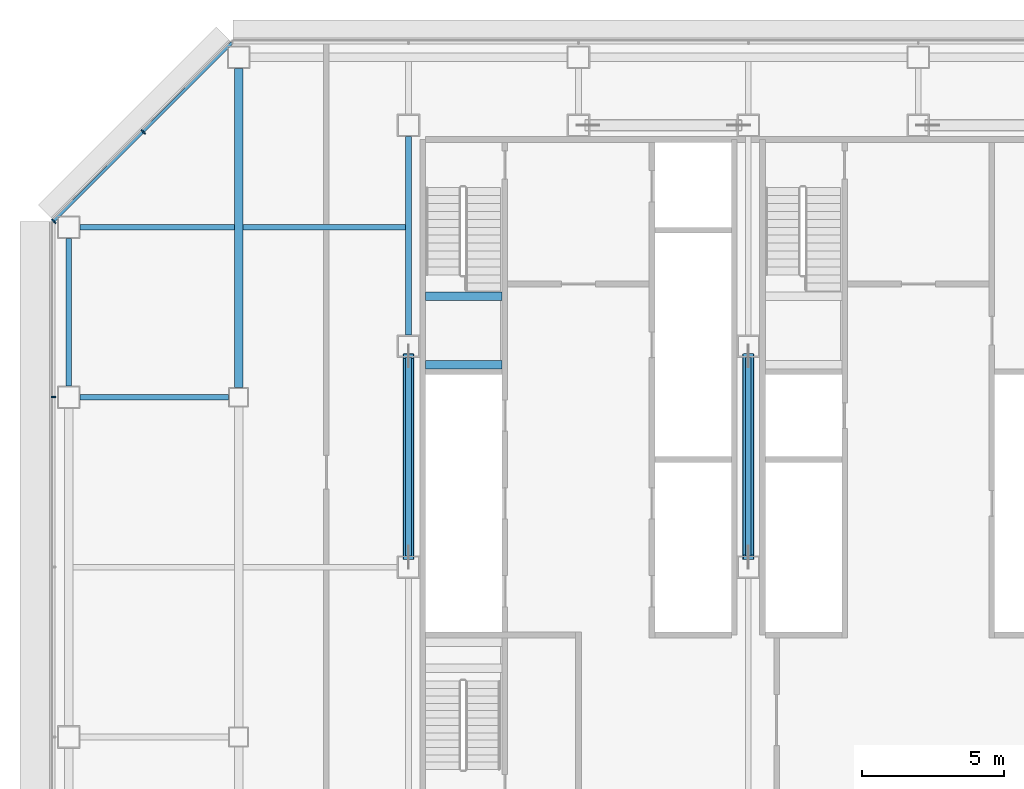
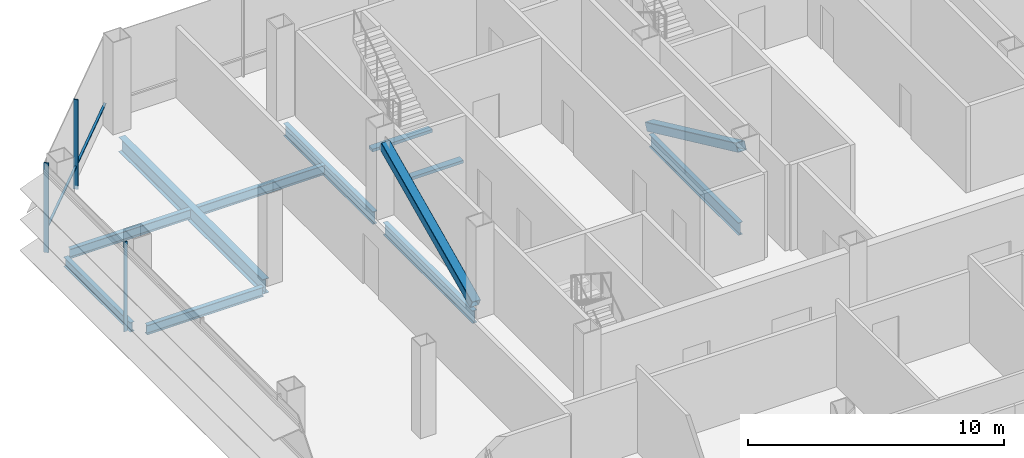
# One storey, part 11 of 28: 10 beams, 6 members, 2 elements without a shape of their own.
"""IFC4 building model written with IfcOpenShell, lengths in metres."""

from ifc_helpers import new_model, si_unit, direction, frame, origin, origin_2d, place, context, subcontext, project, spatial, rectangle, hollow_rectangle, i_section, extrude, material, material_profile, profile_set, type_object, element, aggregate, save


model = new_model("IFC4")

# Units and contexts
model_context = context("Model", 3, precision=1e-05, world=origin(), true_north=direction((0.0, 1.0)))
body_context = subcontext(model_context, "Body", "Model", "MODEL_VIEW")
ifc_project = project(units=[si_unit("LENGTHUNIT", "METRE"), si_unit("AREAUNIT", "SQUARE_METRE"), si_unit("VOLUMEUNIT", "CUBIC_METRE"), si_unit("PLANEANGLEUNIT", "RADIAN"), si_unit("MASSUNIT", "GRAM", prefix="KILO")], contexts=[model_context])

# Site, building, storey
site_placement = place(None, origin())
site = spatial("IfcSite", under=ifc_project, at=site_placement, CompositionType="ELEMENT")
building_placement = place(site_placement, origin())
building = spatial("IfcBuilding", under=site, at=building_placement, Name="Sorahane Residences", CompositionType="ELEMENT")
storey_placement = place(building_placement, frame((0.0, 0.0, 134.0)))
storey = spatial("IfcBuildingStorey", under=building, at=storey_placement, Name="L30", CompositionType="ELEMENT", Elevation=134.0)

# Members
ifc_material_1 = material(Name="Steel Q355B", Category="steel")
ifc_material_profile_1 = material_profile(ifc_material_1, hollow_rectangle(XDim=0.39990234375, YDim=0.39990234375, WallThickness=0.02001953125, InnerFilletRadius=0.010009765625, OuterFilletRadius=0.030029296875, at=origin_2d()), Name="RHS 400x400x20")
ifc_profile_set_1 = profile_set([ifc_material_profile_1], Name="Steel Q355B")
member_type_1 = type_object("IfcMemberType", Name="Core brace RHS 400x400x20 Q355B", PredefinedType="BRACE", material=ifc_profile_set_1)
for number, where, z_axis, x_axis, name in (
    (1, (6.0, 30.349365234375, 0.176513671875), (0.0, 0.907011520025, 0.421105809201), (-1.0, 0.0, 0.0), "Core brace L30 x6-2"),
    (2, (18.0, 37.450439453125, 0.176513671875), (0.0, -0.907011520025, 0.421105809201), (1.0, 0.0, 0.0), "Core brace L30 x18-1"),
):
    element("IfcMember", number, at=place(storey_placement, frame(where, z_axis=z_axis, x_axis=x_axis)), inside=storey, type_object=member_type_1, Name=name, PredefinedType="BRACE", context=body_context, shape_type="SweptSolid", body=[
        extrude(hollow_rectangle(XDim=0.39990234375, YDim=0.39990234375, WallThickness=0.02001953125, InnerFilletRadius=0.010009765625, OuterFilletRadius=0.030029296875, at=origin_2d()), origin(), (0.0, 0.0, 1.0), 7.8291015625),
    ])

# Curtain wall, member
ifc_material_2 = material(Name="Dark low-e glass and black anodised aluminium", Category="aluminium")
curtain_wall_type_1 = type_object("IfcCurtainWallType", Name="Curtain wall CW-1 Typical unitised wall", PredefinedType="NOTDEFINED", material=ifc_material_2)
curtain_wall_1_placement = place(storey_placement, origin())
curtain_wall_1 = element("IfcCurtainWall", 3, at=curtain_wall_1_placement, inside=storey, type_object=curtain_wall_type_1, Name="CW-1 curtain wall L30 W1", PredefinedType="NOTDEFINED")
ifc_material_3 = material(Name="Black anodised aluminium", Category="aluminium")
ifc_material_profile_2 = material_profile(ifc_material_3, rectangle(XDim=0.159912109375, YDim=0.050048828125, at=origin_2d()), Name="Curtain wall mullion CW-1 black anodised aluminium 50x160")
ifc_profile_set_2 = profile_set([ifc_material_profile_2], Name="Black anodised aluminium")
member_type_2 = type_object("IfcMemberType", Name="Curtain wall mullion CW-1 black anodised aluminium 50x160", PredefinedType="MULLION", material=ifc_profile_set_2)
member_1_placement = place(storey_placement, frame((-6.5400390625, 36.0, -0.179931640625), z_axis=(0.0, 0.0, 1.0), x_axis=(-1.0, 0.0, 0.0)))
member_1 = element("IfcMember", 4, at=member_1_placement, type_object=member_type_2, Name="CW-1 mullion L30 W1.2", PredefinedType="MULLION", context=body_context, shape_type="SweptSolid", body=[
    extrude(rectangle(XDim=0.159912109375, YDim=0.050048828125, at=origin_2d()), origin(), (0.0, 0.0, 1.0), 4.280029296875),
])
aggregate(curtain_wall_1, [member_1])

# Curtain wall, members
ifc_material_4 = material(Name="Dark low-e glass and black anodised aluminium", Category="aluminium")
curtain_wall_type_2 = type_object("IfcCurtainWallType", Name="Curtain wall CW-2 Chamfer unitised wall", PredefinedType="NOTDEFINED", material=ifc_material_4)
curtain_wall_2_placement = place(storey_placement, origin())
curtain_wall_2 = element("IfcCurtainWall", 5, at=curtain_wall_2_placement, inside=storey, type_object=curtain_wall_type_2, Name="CW-2 curtain wall L30 NW1", PredefinedType="NOTDEFINED")
ifc_material_5 = material(Name="Black anodised aluminium", Category="aluminium")
ifc_material_profile_3 = material_profile(ifc_material_5, rectangle(XDim=0.199951171875, YDim=0.050048828125, at=origin_2d()), Name="Curtain wall mullion CW-2 black anodised aluminium 50x200")
ifc_profile_set_3 = profile_set([ifc_material_profile_3], Name="Black anodised aluminium")
member_type_3 = type_object("IfcMemberType", Name="Curtain wall mullion CW-2 black anodised aluminium 50x200", PredefinedType="MULLION", material=ifc_profile_set_3)
member_2_placement = place(storey_placement, frame((-3.36767578125, 45.36767578125, -0.179931640625), z_axis=(0.0, 0.0, 1.0), x_axis=(-0.707106781187, 0.707106781187, 0.0)))
member_2 = element("IfcMember", 6, at=member_2_placement, type_object=member_type_3, Name="CW-2 mullion L30 NW1.2", PredefinedType="MULLION", context=body_context, shape_type="SweptSolid", body=[
    extrude(rectangle(XDim=0.199951171875, YDim=0.050048828125, at=origin_2d()), origin(), (0.0, 0.0, 1.0), 4.280029296875),
])
member_3_placement = place(storey_placement, frame((-6.525634765625, 42.209716796875, -0.179931640625), z_axis=(0.0, 0.0, 1.0), x_axis=(-0.707106781187, 0.707106781187, 0.0)))
member_3 = element("IfcMember", 7, at=member_3_placement, type_object=member_type_3, Name="CW-2 mullion L30 NW1.3", PredefinedType="MULLION", context=body_context, shape_type="SweptSolid", body=[
    extrude(rectangle(XDim=0.199951171875, YDim=0.050048828125, at=origin_2d()), origin(), (0.0, 0.0, 1.0), 4.280029296875),
])
ifc_material_6 = material(Name="Black anodised aluminium", Category="aluminium")
ifc_material_profile_4 = material_profile(ifc_material_6, rectangle(XDim=0.10009765625, YDim=0.06005859375, at=origin_2d()), Name="Curtain wall transom CW-2 black anodised aluminium 60x100")
ifc_profile_set_4 = profile_set([ifc_material_profile_4], Name="Black anodised aluminium")
member_type_4 = type_object("IfcMemberType", Name="Curtain wall transom CW-2 black anodised aluminium 60x100", PredefinedType="USERDEFINED", material=ifc_profile_set_4)
member_4_placement = place(storey_placement, frame((-0.234375, 48.51513671875, 0.89990234375), z_axis=(-0.707106781187, -0.707106781187, 0.0), x_axis=(0.707106781187, -0.707106781187, 0.0)))
member_4 = element("IfcMember", 8, at=member_4_placement, type_object=member_type_4, Name="CW-2 transom L30 NW1", ObjectType="TRANSOM", PredefinedType="USERDEFINED", context=body_context, shape_type="SweptSolid", body=[
    extrude(rectangle(XDim=0.10009765625, YDim=0.06005859375, at=origin_2d()), origin(), (0.0, 0.0, 1.0), 8.88232421875),
])
aggregate(curtain_wall_2, [member_2, member_3, member_4])

# Beams
ifc_material_7 = material(Name="Concrete C40", Category="concrete")
ifc_material_profile_5 = material_profile(ifc_material_7, rectangle(XDim=0.300048828125, YDim=0.139892578125, at=origin_2d()), Name="300x140")
ifc_profile_set_5 = profile_set([ifc_material_profile_5], Name="Concrete C40")
beam_type_1 = type_object("IfcBeamType", Name="RC landing beam 300 x 140 Concrete C40", PredefinedType="BEAM", material=ifc_profile_set_5)
for number, where, z_axis, x_axis, name in (
    (9, (6.60009765625, 37.14990234375, 1.7607421875), (1.0, 0.0, 0.0), (0.0, 1.0, 0.0), "Landing beam"),
    (10, (6.60009765625, 39.570068359375, 1.7607421875), (1.0, 0.0, 0.0), (0.0, 1.0, 0.0), "Landing beam"),
):
    element("IfcBeam", number, at=place(storey_placement, frame(where, z_axis=z_axis, x_axis=x_axis)), inside=storey, type_object=beam_type_1, Name=name, PredefinedType="BEAM", context=body_context, shape_type="SweptSolid", body=[
        extrude(rectangle(XDim=0.300048828125, YDim=0.139892578125, at=origin_2d()), origin(), (0.0, 0.0, 1.0), 2.699951171875),
    ])
ifc_material_8 = material(Name="Steel Q355B", Category="steel")
ifc_material_profile_6 = material_profile(ifc_material_8, i_section(OverallWidth=0.199951171875, OverallDepth=0.449951171875, WebThickness=0.009033203125, FlangeThickness=0.013916015625, FilletRadius=0.02001953125, at=origin_2d()), Name="HN 450x200x9x14")
ifc_profile_set_6 = profile_set([ifc_material_profile_6], Name="Steel Q355B")
beam_type_2 = type_object("IfcBeamType", Name="Steel floor beam HN 450x200x9x14 Q355B", PredefinedType="BEAM", material=ifc_profile_set_6)
beam_1_placement = place(storey_placement, frame((-5.60009765625, 36.0, -0.405029296875), z_axis=(1.0, 0.0, 0.0), x_axis=(0.0, 1.0, 0.0)))
element("IfcBeam", 11, at=beam_1_placement, inside=storey, type_object=beam_type_2, Name="Beam L30 013", PredefinedType="BEAM", context=body_context, shape_type="SweptSolid", body=[
    extrude(i_section(OverallWidth=0.199951171875, OverallDepth=0.449951171875, WebThickness=0.009033203125, FlangeThickness=0.013916015625, FilletRadius=0.02001953125, at=origin_2d()), origin(), (0.0, 0.0, 1.0), 5.25),
])
beam_2_placement = place(storey_placement, frame((-6.0, 36.39990234375, -0.405029296875), z_axis=(0.0, 1.0, 0.0), x_axis=(-1.0, 0.0, 0.0)))
element("IfcBeam", 12, at=beam_2_placement, inside=storey, type_object=beam_type_2, Name="Beam L30 023", PredefinedType="BEAM", context=body_context, shape_type="SweptSolid", body=[
    extrude(i_section(OverallWidth=0.199951171875, OverallDepth=0.449951171875, WebThickness=0.009033203125, FlangeThickness=0.013916015625, FilletRadius=0.02001953125, at=origin_2d()), origin(), (0.0, 0.0, 1.0), 5.2001953125),
])
beam_3_placement = place(storey_placement, frame((-5.60009765625, 42.0, -0.405029296875), z_axis=(1.0, 0.0, 0.0), x_axis=(0.0, 1.0, 0.0)))
element("IfcBeam", 13, at=beam_3_placement, inside=storey, type_object=beam_type_2, Name="Beam L30 087", PredefinedType="BEAM", context=body_context, shape_type="SweptSolid", body=[
    extrude(i_section(OverallWidth=0.199951171875, OverallDepth=0.449951171875, WebThickness=0.009033203125, FlangeThickness=0.013916015625, FilletRadius=0.02001953125, at=origin_2d()), origin(), (0.0, 0.0, 1.0), 5.4501953125),
])
beam_4_placement = place(storey_placement, frame((0.14990234375, 42.0, -0.405029296875), z_axis=(1.0, 0.0, 0.0), x_axis=(0.0, 1.0, 0.0)))
element("IfcBeam", 14, at=beam_4_placement, inside=storey, type_object=beam_type_2, Name="Beam L30 088", PredefinedType="BEAM", context=body_context, shape_type="SweptSolid", body=[
    extrude(i_section(OverallWidth=0.199951171875, OverallDepth=0.449951171875, WebThickness=0.009033203125, FlangeThickness=0.013916015625, FilletRadius=0.02001953125, at=origin_2d()), origin(), (0.0, 0.0, 1.0), 5.75),
])
ifc_material_9 = material(Name="Steel Q355B", Category="steel")
ifc_material_profile_7 = material_profile(ifc_material_9, i_section(OverallWidth=0.199951171875, OverallDepth=0.60009765625, WebThickness=0.010986328125, FlangeThickness=0.01708984375, FilletRadius=0.02392578125, at=origin_2d()), Name="HN 600x200x11x17")
ifc_profile_set_7 = profile_set([ifc_material_profile_7], Name="Steel Q355B")
beam_type_3 = type_object("IfcBeamType", Name="Steel floor beam HN 600x200x11x17 Q355B", PredefinedType="BEAM", material=ifc_profile_set_7)
for number, where, z_axis, x_axis, name in (
    (15, (6.0, 30.39990234375, -0.47998046875), (0.0, 1.0, 0.0), (-1.0, 0.0, 0.0), "Beam L30 031"),
    (16, (6.0, 38.199951171875, -0.47998046875), (0.0, 1.0, 0.0), (-1.0, 0.0, 0.0), "Beam L30 032"),
    (17, (18.0, 30.39990234375, -0.47998046875), (0.0, 1.0, 0.0), (-1.0, 0.0, 0.0), "Beam L30 039"),
):
    element("IfcBeam", number, at=place(storey_placement, frame(where, z_axis=z_axis, x_axis=x_axis)), inside=storey, type_object=beam_type_3, Name=name, PredefinedType="BEAM", context=body_context, shape_type="SweptSolid", body=[
        extrude(i_section(OverallWidth=0.199951171875, OverallDepth=0.60009765625, WebThickness=0.010986328125, FlangeThickness=0.01708984375, FilletRadius=0.02392578125, at=origin_2d()), origin(), (0.0, 0.0, 1.0), 7.0),
    ])
ifc_material_10 = material(Name="Steel Q355B", Category="steel")
ifc_material_profile_8 = material_profile(ifc_material_10, i_section(OverallWidth=0.300048828125, OverallDepth=0.699951171875, WebThickness=0.012939453125, FlangeThickness=0.02392578125, FilletRadius=0.028076171875, at=origin_2d()), Name="HN 700x300x13x24")
ifc_profile_set_8 = profile_set([ifc_material_profile_8], Name="Steel Q355B")
beam_type_4 = type_object("IfcBeamType", Name="Steel floor beam HN 700x300x13x24 Q355B", PredefinedType="BEAM", material=ifc_profile_set_8)
beam_5_placement = place(storey_placement, frame((0.0, 36.35009765625, -0.530029296875), z_axis=(0.0, 1.0, 0.0), x_axis=(-1.0, 0.0, 0.0)))
element("IfcBeam", 18, at=beam_5_placement, inside=storey, type_object=beam_type_4, Name="Beam L30 027", PredefinedType="BEAM", context=body_context, shape_type="SweptSolid", body=[
    extrude(i_section(OverallWidth=0.300048828125, OverallDepth=0.699951171875, WebThickness=0.012939453125, FlangeThickness=0.02392578125, FilletRadius=0.028076171875, at=origin_2d()), origin(), (0.0, 0.0, 1.0), 11.25),
])

save(model, "model.ifc")
